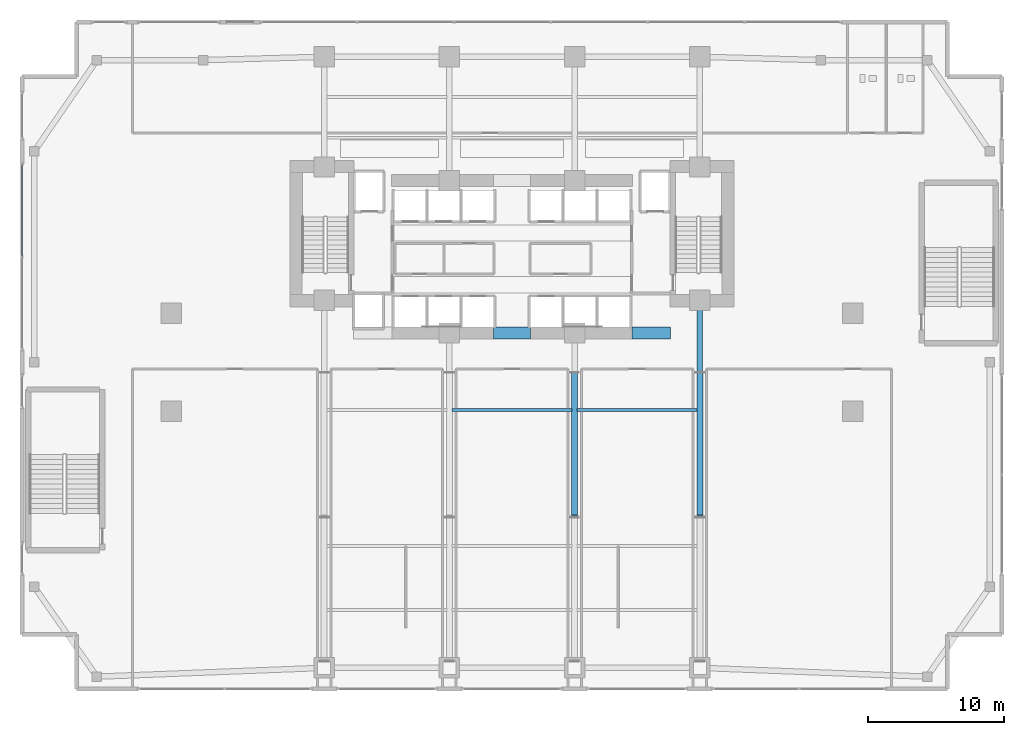
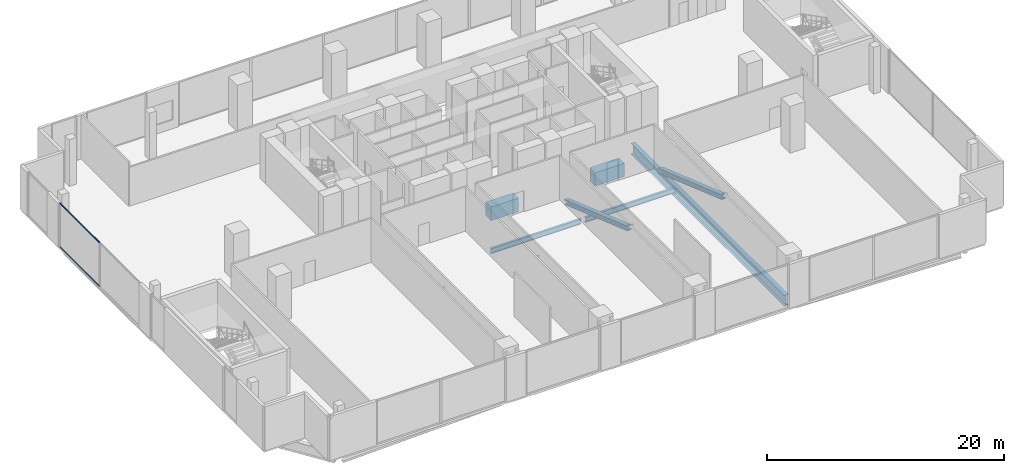
# One storey, part 13 of 33: 5 beams, 4 members, 1 element without a shape of its own.
"""IFC4 building model written with IfcOpenShell, lengths in metres."""

import ifcopenshell
import ifcopenshell.guid

model = None  # the IFC model being written
_history = None  # IfcOwnerHistory: only IFC2X3 demands one
_inside = {}  # id of a spatial element -> (the spatial element, [elements in it])
_under = {}  # id of a project, library or spatial element -> (it, [spatial elements below it])
_declared = {}  # id of a project -> (the project, [libraries it declares])
_typed = {}  # id of a type object -> (the type object, [elements of that type])
_made_of = {}  # id of a material, layer set ... -> (it, [elements and type objects made of it])


def new_model(schema):
    """Start an empty IFC model of exactly this schema.

    Asked for "IFC4X3", IfcOpenShell would pick the latest addendum, in which some entities
    have other attributes; the version numbers below select the first issue.
    IFC2X3 requires an IfcOwnerHistory on every rooted entity: one is made here for all.
    """
    global model, _history
    if schema == "IFC4X3":
        model = ifcopenshell.file(schema_version=(4, 3, 0, 0))
    else:
        model = ifcopenshell.file(schema=schema)
    _inside.clear()
    _under.clear()
    _declared.clear()
    _typed.clear()
    _made_of.clear()
    _history = None
    if model.schema == "IFC2X3":
        org = make("IfcOrganization", Name="unknown")
        user = make(
            "IfcPersonAndOrganization",
            ThePerson=make("IfcPerson", FamilyName="unknown"),
            TheOrganization=org,
        )
        app = make(
            "IfcApplication",
            ApplicationDeveloper=org,
            Version="unknown",
            ApplicationFullName="unknown",
            ApplicationIdentifier="unknown",
        )
        _history = make(
            "IfcOwnerHistory",
            OwningUser=user,
            OwningApplication=app,
            ChangeAction="ADDED",
            CreationDate=0,
        )
    return model


def make(cls, **values):
    """One entity of the class cls with the attributes given. An attribute that is None is left unset."""
    return model.create_entity(
        cls, **{name: value for name, value in values.items() if value is not None}
    )


def rooted(cls, **values):
    """An entity with a GlobalId (a new one), such as an element, a storey or a relation."""
    return make(cls, GlobalId=ifcopenshell.guid.new(), OwnerHistory=_history, **values)


def si_unit(unit_type, name, prefix=None):
    """IfcSIUnit, for example si_unit("LENGTHUNIT", "METRE", prefix="MILLI")."""
    return make("IfcSIUnit", UnitType=unit_type, Prefix=prefix, Name=name)


def assignment(units):
    """IfcUnitAssignment: the units of a project."""
    return None if units is None else make("IfcUnitAssignment", Units=units)


def point(xyz):
    """IfcCartesianPoint."""
    return None if xyz is None else make("IfcCartesianPoint", Coordinates=xyz)


def direction(xyz):
    """IfcDirection."""
    return None if xyz is None else make("IfcDirection", DirectionRatios=xyz)


def frame(location, z_axis=None, x_axis=None):
    """IfcAxis2Placement3D, a coordinate frame: its origin and axes. An axis left out is left unset."""
    return make(
        "IfcAxis2Placement3D",
        Location=point(location),
        Axis=direction(z_axis),
        RefDirection=direction(x_axis),
    )


def frame_2d(location, x_axis=None):
    """IfcAxis2Placement2D, a coordinate frame in the plane: its origin and x axis."""
    return make(
        "IfcAxis2Placement2D", Location=point(location), RefDirection=direction(x_axis)
    )


def origin():
    """The frame at (0, 0, 0) with its axes left unset."""
    return frame((0.0, 0.0, 0.0))


def origin_2d():
    """The frame at (0, 0) in the plane with its x axis left unset."""
    return frame_2d((0.0, 0.0))


def place(relative_to, where):
    """IfcLocalPlacement: puts the frame where relative to a parent placement (None: the world)."""
    return make(
        "IfcLocalPlacement", PlacementRelTo=relative_to, RelativePlacement=where
    )


def context(
    kind, dimensions, precision=None, world=None, true_north=None, identifier=None
):
    """IfcGeometricRepresentationContext, for example the 3D "Model" context."""
    return make(
        "IfcGeometricRepresentationContext",
        ContextIdentifier=identifier,
        ContextType=kind,
        CoordinateSpaceDimension=dimensions,
        Precision=precision,
        WorldCoordinateSystem=world,
        TrueNorth=true_north,
    )


def subcontext(parent, identifier, kind, view, scale=None):
    """IfcGeometricRepresentationSubContext, for example "Body" below "Model"."""
    return make(
        "IfcGeometricRepresentationSubContext",
        ContextIdentifier=identifier,
        ContextType=kind,
        ParentContext=parent,
        TargetScale=scale,
        TargetView=view,
    )


def project(units=None, contexts=None):
    """IfcProject with its units and contexts."""
    return rooted(
        "IfcProject",
        Name="project",
        RepresentationContexts=contexts,
        UnitsInContext=assignment(units),
    )


def spatial(cls, under=None, at=None, **own):
    """A site, building, storey or space (cls), placed at a placement, below another one or the project."""
    s = rooted(cls, ObjectPlacement=at, **own)
    if under is not None:
        _under.setdefault(under.id(), (under, []))[1].append(s)
    return s


def profile(cls, at=None, kind="AREA", **sizes):
    """A parametric profile (cls). Its sizes go by their IFC names, for example OverallWidth=200.0."""
    return make(cls, ProfileType=kind, Position=at, **sizes)


def rectangle(**sizes):
    """IfcRectangleProfileDef."""
    return profile("IfcRectangleProfileDef", **sizes)


def hollow_rectangle(**sizes):
    """IfcRectangleHollowProfileDef."""
    return profile("IfcRectangleHollowProfileDef", **sizes)


def i_section(**sizes):
    """IfcIShapeProfileDef."""
    return profile("IfcIShapeProfileDef", **sizes)


def extrude(swept, where, along, depth):
    """IfcExtrudedAreaSolid: the profile swept, set in the frame where, extruded along a direction by depth."""
    return make(
        "IfcExtrudedAreaSolid",
        SweptArea=swept,
        Position=where,
        ExtrudedDirection=direction(along),
        Depth=depth,
    )


def shape(context_of_items, identifier, shape_type, items):
    """IfcShapeRepresentation: the items that make up one representation, for example the "Body"."""
    return make(
        "IfcShapeRepresentation",
        ContextOfItems=context_of_items,
        RepresentationIdentifier=identifier,
        RepresentationType=shape_type,
        Items=items,
    )


def material(Name=None, Category=None):
    """IfcMaterial."""
    return make("IfcMaterial", Name=Name, Category=Category)


def layer(
    of_material, thickness, ventilated=None, Name=None, Category=None, Priority=None
):
    """IfcMaterialLayer: one layer of a wall or slab, of a material (None: an air gap)."""
    return make(
        "IfcMaterialLayer",
        Material=of_material,
        LayerThickness=thickness,
        IsVentilated=ventilated,
        Name=Name,
        Category=Category,
        Priority=Priority,
    )


def layer_set(layers, Name=None):
    """IfcMaterialLayerSet."""
    return make("IfcMaterialLayerSet", MaterialLayers=layers, LayerSetName=Name)


def material_profile(
    of_material, cross_section, Name=None, Category=None, Priority=None
):
    """IfcMaterialProfile: a cross section and its material."""
    return make(
        "IfcMaterialProfile",
        Name=Name,
        Material=of_material,
        Profile=cross_section,
        Priority=Priority,
        Category=Category,
    )


def profile_set(profiles, Name=None, composite=None):
    """IfcMaterialProfileSet."""
    return make(
        "IfcMaterialProfileSet",
        Name=Name,
        MaterialProfiles=profiles,
        CompositeProfile=composite,
    )


def made_of(thing, what):
    """Note that an element or type object is made of a material, layer set ...; save() writes the relation."""
    if what is not None:
        _made_of.setdefault(what.id(), (what, []))[1].append(thing)
    return thing


def type_object(cls, material=None, **own):
    """A type object (cls), such as IfcWallType, which elements share."""
    return made_of(rooted(cls, **own), material)


def element(
    cls,
    number,
    at=None,
    inside=None,
    cuts=None,
    type_object=None,
    material=None,
    context=None,
    identifier="Body",
    shape_type=None,
    held_by="IfcProductDefinitionShape",
    body=None,
    shapes=None,
    **own,
):
    """One element of the class cls, such as IfcWall. Its Tag is "e" and its number.

    at: its placement. inside: the storey or other place that contains it. cuts: it is an
    opening in that element (IfcRelVoidsElement). A single representation is given by context,
    identifier, shape_type and body (its items); several are given by shapes. held_by: the class
    of the entity that holds the representations. save() writes the other relations.
    """
    e = rooted(cls, Tag="e%d" % number, ObjectPlacement=at, **own)
    if body is not None:
        shapes = [shape(context, identifier, shape_type, body)]
    if shapes is not None:
        e.Representation = make(held_by, Representations=shapes)
    if inside is not None:
        _inside.setdefault(inside.id(), (inside, []))[1].append(e)
    if cuts is not None:
        rooted(
            "IfcRelVoidsElement", RelatingBuildingElement=cuts, RelatedOpeningElement=e
        )
    if type_object is not None:
        _typed.setdefault(type_object.id(), (type_object, []))[1].append(e)
    return made_of(e, material)


def aggregate(whole, parts):
    """IfcRelAggregates: a whole, such as a stair, and the parts it consists of."""
    return rooted("IfcRelAggregates", RelatingObject=whole, RelatedObjects=parts)


def save(model, path):
    """Write the relations noted so far, then the file.

    IfcRelAggregates (storeys below a building ...), IfcRelContainedInSpatialStructure (elements
    in a storey), IfcRelDefinesByType, IfcRelAssociatesMaterial and IfcRelDeclares: one each for
    every whole, place, type object, material and project.
    """
    for whole, parts in _under.values():
        aggregate(whole, parts)
    for where, things in _inside.values():
        rooted(
            "IfcRelContainedInSpatialStructure",
            RelatedElements=things,
            RelatingStructure=where,
        )
    for kind, things in _typed.values():
        rooted("IfcRelDefinesByType", RelatedObjects=things, RelatingType=kind)
    for what, things in _made_of.values():
        rooted("IfcRelAssociatesMaterial", RelatedObjects=things, RelatingMaterial=what)
    for by, libraries in _declared.values():
        rooted("IfcRelDeclares", RelatingContext=by, RelatedDefinitions=libraries)
    model.write(path)


model = new_model("IFC4")

# Units and contexts
model_context = context("Model", 3, precision=1e-05, world=origin(), true_north=direction((0.0, 1.0)))
body_context = subcontext(model_context, "Body", "Model", "MODEL_VIEW")
ifc_project = project(units=[si_unit("LENGTHUNIT", "METRE"), si_unit("AREAUNIT", "SQUARE_METRE"), si_unit("VOLUMEUNIT", "CUBIC_METRE"), si_unit("PLANEANGLEUNIT", "RADIAN"), si_unit("MASSUNIT", "GRAM", prefix="KILO")], contexts=[model_context])

# Site, building, storey
site_placement = place(None, origin())
site = spatial("IfcSite", under=ifc_project, at=site_placement, CompositionType="ELEMENT")
building_placement = place(site_placement, origin())
building = spatial("IfcBuilding", under=site, at=building_placement, Name="Zuhayl Quay Hotel", CompositionType="ELEMENT")
storey_placement = place(building_placement, frame((0.0, 0.0, 18.0)))
storey = spatial("IfcBuildingStorey", under=building, at=storey_placement, Name="L03", CompositionType="ELEMENT", Elevation=18.0)

# Beams
ifc_material_1 = material(Name="Concrete C60/75", Category="concrete")
ifc_material_profile_1 = material_profile(ifc_material_1, rectangle(XDim=0.89990234375, YDim=1.39990234375, at=origin_2d()), Name="RC900X1400")
ifc_profile_set_1 = profile_set([ifc_material_profile_1], Name="Concrete C60/75")
beam_type_1 = type_object("IfcBeamType", Name="BM_CB1_RC900", PredefinedType="T_BEAM", material=ifc_profile_set_1)
beam_1_placement = place(storey_placement, frame((8.800048828125, 2.14990234375, -0.9599609375), z_axis=(1.0, 0.0, 0.0), x_axis=(0.0, 1.0, 0.0)))
element("IfcBeam", 1, at=beam_1_placement, inside=storey, type_object=beam_type_1, Name="L03 Core Coupling Beam SE", PredefinedType="T_BEAM", context=body_context, shape_type="SweptSolid", body=[
    extrude(rectangle(XDim=0.89990234375, YDim=1.39990234375, at=origin_2d()), origin(), (0.0, 0.0, 1.0), 2.849853515625),
])
beam_2_placement = place(storey_placement, frame((-1.35009765625, 2.14990234375, -0.9599609375), z_axis=(1.0, 0.0, 0.0), x_axis=(0.0, 1.0, 0.0)))
element("IfcBeam", 2, at=beam_2_placement, inside=storey, type_object=beam_type_1, Name="L03 Core Coupling Beam South", PredefinedType="T_BEAM", context=body_context, shape_type="SweptSolid", body=[
    extrude(rectangle(XDim=0.89990234375, YDim=1.39990234375, at=origin_2d()), origin(), (0.0, 0.0, 1.0), 2.7001953125),
])
ifc_material_2 = material(Name="Steel ASTM A992 Grade 50", Category="steel")
ifc_material_profile_2 = material_profile(ifc_material_2, i_section(OverallWidth=0.208984375, OverallDepth=0.532958984375, WebThickness=0.01025390625, FlangeThickness=0.015625, at=origin_2d()), Name="W21X62")
ifc_profile_set_2 = profile_set([ifc_material_profile_2], Name="Steel ASTM A992 Grade 50")
beam_type_2 = type_object("IfcBeamType", Name="BM_J1_W21X62", PredefinedType="JOIST", material=ifc_profile_set_2)
for number, where, z_axis, x_axis, name in (
    (3, (-4.406005859375, -3.5, -0.526611328125), (1.0, 0.0, 0.0), (0.0, 1.0, 0.0), "L03 Floor Beam J_POD_L03_3_2"),
    (4, (4.7939453125, -3.5, -0.526611328125), (1.0, 0.0, 0.0), (0.0, 1.0, 0.0), "L03 Floor Beam J_POD_L03_3_3"),
):
    element("IfcBeam", number, at=place(storey_placement, frame(where, z_axis=z_axis, x_axis=x_axis)), inside=storey, type_object=beam_type_2, Name=name, PredefinedType="JOIST", context=body_context, shape_type="SweptSolid", body=[
        extrude(i_section(OverallWidth=0.208984375, OverallDepth=0.532958984375, WebThickness=0.01025390625, FlangeThickness=0.015625, at=origin_2d()), origin(), (0.0, 0.0, 1.0), 8.81201171875),
    ])
ifc_material_3 = material(Name="Steel ASTM A913 Grade 65", Category="steel")
ifc_material_profile_3 = material_profile(ifc_material_3, i_section(OverallWidth=0.404052734375, OverallDepth=1.117919921875, WebThickness=0.026123046875, FlangeThickness=0.044921875, at=origin_2d()), Name="W44X335")
ifc_profile_set_3 = profile_set([ifc_material_profile_3], Name="Steel ASTM A913 Grade 65")
beam_type_3 = type_object("IfcBeamType", Name="BM_TG1_W44X335", PredefinedType="BEAM", material=ifc_profile_set_3)
beam_3_placement = place(storey_placement, frame((13.800048828125, -21.929931640625, -0.819091796875), z_axis=(0.0, 1.0, 0.0), x_axis=(-1.0, 0.0, 0.0)))
element("IfcBeam", 5, at=beam_3_placement, inside=storey, type_object=beam_type_3, Name="L03 Floor Beam PG_NS_BALL_L03_4", PredefinedType="BEAM", context=body_context, shape_type="SweptSolid", body=[
    extrude(i_section(OverallWidth=0.404052734375, OverallDepth=1.117919921875, WebThickness=0.026123046875, FlangeThickness=0.044921875, at=origin_2d()), origin(), (0.0, 0.0, 1.0), 25.909912109375),
])

# Curtain wall, members
ifc_material_4 = material(Name="Anodised Aluminium 6063-T6", Category="aluminium")
ifc_layer = layer(ifc_material_4, 0.199951171875, Name="Anodised Aluminium 6063-T6", Category="aluminium")
ifc_layer_set = layer_set([ifc_layer], Name="Anodised Aluminium 6063-T6")
curtain_wall_type = type_object("IfcCurtainWallType", Name="CW_SYS_POD", PredefinedType="USERDEFINED", material=ifc_layer_set)
curtain_wall_placement = place(storey_placement, origin())
curtain_wall = element("IfcCurtainWall", 6, at=curtain_wall_placement, inside=storey, type_object=curtain_wall_type, Name="L03 Curtain Wall ENV_L03_E02_CW3", ObjectType="UNITISED CURTAIN WALL", PredefinedType="USERDEFINED")
ifc_material_5 = material(Name="Black-anodised aluminium 6063-T6", Category="aluminium")
ifc_material_profile_4 = material_profile(ifc_material_5, hollow_rectangle(XDim=0.06005859375, YDim=0.14990234375, WallThickness=0.00341796875, at=origin_2d()), Name="ALU150X60")
ifc_profile_set_4 = profile_set([ifc_material_profile_4], Name="Black-anodised aluminium 6063-T6")
member_type_1 = type_object("IfcMemberType", Name="MB_CW_TRN_150", PredefinedType="USERDEFINED", material=ifc_profile_set_4)
member_1_placement = place(storey_placement, frame((-36.0, 7.78759765625, 0.030029296875), z_axis=(0.0, 1.0, 0.0), x_axis=(-1.0, 0.0, 0.0)))
member_1 = element("IfcMember", 7, at=member_1_placement, type_object=member_type_1, Name="CW-POD transom 2.1", ObjectType="TRANSOM", PredefinedType="USERDEFINED", context=body_context, shape_type="SweptSolid", body=[
    extrude(hollow_rectangle(XDim=0.06005859375, YDim=0.14990234375, WallThickness=0.00341796875, at=origin_2d()), origin(), (0.0, 0.0, 1.0), 6.71728515625),
])
member_2_placement = place(storey_placement, frame((-36.0, 7.78759765625, 4.510009765625), z_axis=(0.0, 1.0, 0.0), x_axis=(-1.0, 0.0, 0.0)))
member_2 = element("IfcMember", 8, at=member_2_placement, type_object=member_type_1, Name="CW-POD transom 2.2", ObjectType="TRANSOM", PredefinedType="USERDEFINED", context=body_context, shape_type="SweptSolid", body=[
    extrude(hollow_rectangle(XDim=0.06005859375, YDim=0.14990234375, WallThickness=0.00341796875, at=origin_2d()), origin(), (0.0, 0.0, 1.0), 6.71728515625),
])
aggregate(curtain_wall, [member_1, member_2])

# Members
ifc_material_profile_5 = material_profile(ifc_material_3, i_section(OverallWidth=0.431884765625, OverallDepth=0.498046875, WebThickness=0.0556640625, FlangeThickness=0.0888671875, at=origin_2d()), Name="W14X500")
ifc_profile_set_5 = profile_set([ifc_material_profile_5], Name="Steel ASTM A913 Grade 65")
member_type_2 = type_object("IfcMemberType", Name="MB_TT_DIAG_500", PredefinedType="BRACE", material=ifc_profile_set_5)
for number, where, z_axis, x_axis, name in (
    (9, (4.60009765625, -11.300048828125, 3.429931640625), (0.0, 0.944209030718, -0.32934678731), (-1.0, 0.0, 0.0), "L03 Ballroom Transfer Truss TT1-3 Diagonal 2"),
    (10, (13.800048828125, -11.300048828125, 3.429931640625), (0.0, 0.944209030718, -0.32934678731), (-1.0, 0.0, 0.0), "L03 Ballroom Transfer Truss TT1-4 Diagonal 2"),
):
    element("IfcMember", number, at=place(storey_placement, frame(where, z_axis=z_axis, x_axis=x_axis)), inside=storey, type_object=member_type_2, Name=name, PredefinedType="BRACE", context=body_context, shape_type="SweptSolid", body=[
        extrude(i_section(OverallWidth=0.431884765625, OverallDepth=0.498046875, WebThickness=0.0556640625, FlangeThickness=0.0888671875, at=origin_2d()), origin(), (0.0, 0.0, 1.0), 11.17333984375),
    ])

save(model, "model.ifc")
